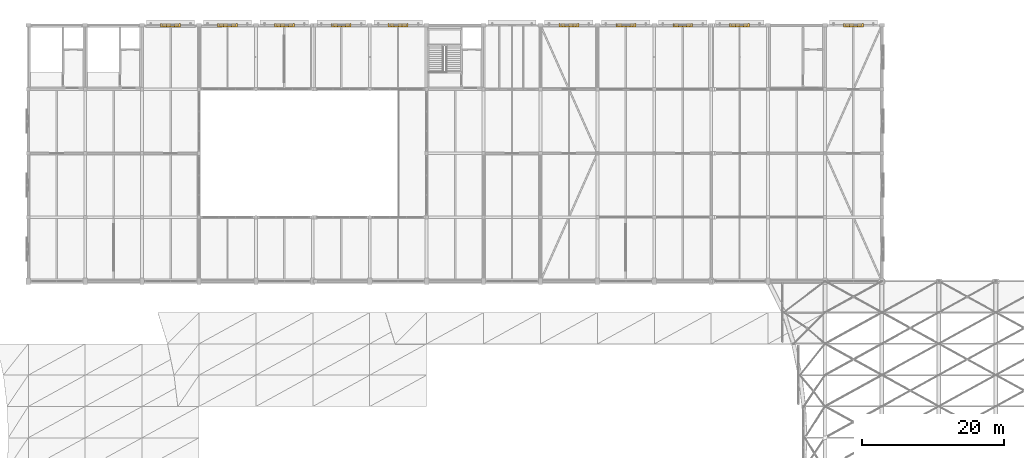
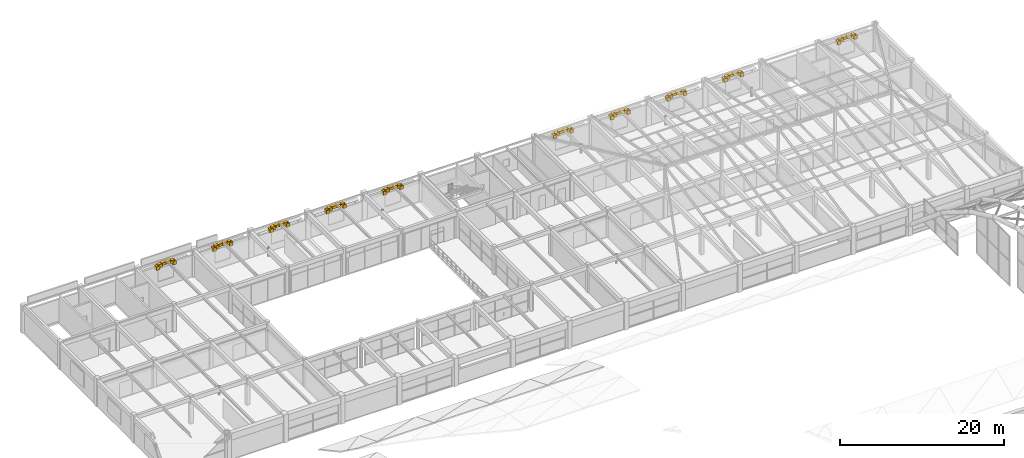
# One storey, part 126 of 126: 60 coverings.
"""IFC4 building model written with IfcOpenShell, lengths in metres."""

from ifc_helpers import new_model, si_unit, direction, frame, origin, origin_2d, place, context, subcontext, project, spatial, rectangle, extrude, material, layer, layer_set, type_object, element, save


model = new_model("IFC4")

# Units and contexts
model_context = context("Model", 3, precision=1e-05, world=origin(), true_north=direction((0.0, 1.0)))
body_context = subcontext(model_context, "Body", "Model", "MODEL_VIEW")
ifc_project = project(units=[si_unit("LENGTHUNIT", "METRE"), si_unit("AREAUNIT", "SQUARE_METRE"), si_unit("VOLUMEUNIT", "CUBIC_METRE"), si_unit("PLANEANGLEUNIT", "RADIAN"), si_unit("MASSUNIT", "GRAM", prefix="KILO")], contexts=[model_context])

# Site, building, storey
site_placement = place(None, origin())
site = spatial("IfcSite", under=ifc_project, at=site_placement, CompositionType="ELEMENT")
building_placement = place(site_placement, origin())
building = spatial("IfcBuilding", under=site, at=building_placement, Name="Varnabhumi Central Station", CompositionType="ELEMENT")
storey_placement = place(building_placement, frame((0.0, 0.0, 16.199951171875)))
storey = spatial("IfcBuildingStorey", under=building, at=storey_placement, Name="L03", CompositionType="ELEMENT", Elevation=16.199951171875)

# Coverings
ifc_material = material(Name="Terracotta clay Mission barrel tile", Category="masonry")
ifc_layer = layer(ifc_material, 0.02001953125, Name="Terracotta clay Mission barrel tile", Category="masonry")
ifc_layer_set = layer_set([ifc_layer], Name="Terracotta clay Mission barrel tile")
covering_type = type_object("IfcCoveringType", Name="COV-WALL-FAIENCE", PredefinedType="CLADDING", material=ifc_layer_set)
covering_1_placement = place(storey_placement, frame((42.83349609375, 116.0, 2.75), z_axis=(0.0, 0.0, 1.0), x_axis=(1.0, 0.0, 0.0)))
element("IfcCovering", 1, at=covering_1_placement, inside=storey, type_object=covering_type, Name="North Window Arch L03-3 Stone Voussoir 1", PredefinedType="CLADDING", context=body_context, shape_type="SweptSolid", body=[
    extrude(rectangle(XDim=0.469970703125, YDim=0.47998046875, at=origin_2d()), origin(), (0.0, 0.0, 1.0), 0.554931640625),
])
covering_2_placement = place(storey_placement, frame((43.14599609375, 116.0, 3.025146484375), z_axis=(0.0, 0.0, 1.0), x_axis=(1.0, 0.0, 0.0)))
element("IfcCovering", 2, at=covering_2_placement, inside=storey, type_object=covering_type, Name="North Window Arch L03-3 Stone Voussoir 2", PredefinedType="CLADDING", context=body_context, shape_type="SweptSolid", body=[
    extrude(rectangle(XDim=0.577880859375, YDim=0.47998046875, at=origin_2d()), origin(), (0.0, 0.0, 1.0), 0.48095703125),
])
for number, where, z_axis, x_axis, name in (
    (3, (43.6875, 116.0, 3.213134765625), (0.0, 0.0, 1.0), (1.0, 0.0, 0.0), "North Window Arch L03-3 Stone Voussoir 3"),
    (4, (44.3125, 116.0, 3.213134765625), (0.0, 0.0, 1.0), (1.0, 0.0, 0.0), "North Window Arch L03-3 Stone Voussoir 4"),
):
    element("IfcCovering", number, at=place(storey_placement, frame(where, z_axis=z_axis, x_axis=x_axis)), inside=storey, type_object=covering_type, Name=name, PredefinedType="CLADDING", context=body_context, shape_type="SweptSolid", body=[
        extrude(rectangle(XDim=0.7451171875, YDim=0.47998046875, at=origin_2d()), origin(), (0.0, 0.0, 1.0), 0.3798828125),
    ])
covering_3_placement = place(storey_placement, frame((44.85400390625, 116.0, 3.025146484375), z_axis=(0.0, 0.0, 1.0), x_axis=(1.0, 0.0, 0.0)))
element("IfcCovering", 5, at=covering_3_placement, inside=storey, type_object=covering_type, Name="North Window Arch L03-3 Stone Voussoir 5", PredefinedType="CLADDING", context=body_context, shape_type="SweptSolid", body=[
    extrude(rectangle(XDim=0.577880859375, YDim=0.47998046875, at=origin_2d()), origin(), (0.0, 0.0, 1.0), 0.48095703125),
])
for number, where, z_axis, x_axis, name in (
    (6, (45.16650390625, 116.0, 2.75), (0.0, 0.0, 1.0), (1.0, 0.0, 0.0), "North Window Arch L03-3 Stone Voussoir 6"),
    (7, (50.83349609375, 116.0, 2.75), (0.0, 0.0, 1.0), (1.0, 0.0, 0.0), "North Window Arch L03-4 Stone Voussoir 1"),
):
    element("IfcCovering", number, at=place(storey_placement, frame(where, z_axis=z_axis, x_axis=x_axis)), inside=storey, type_object=covering_type, Name=name, PredefinedType="CLADDING", context=body_context, shape_type="SweptSolid", body=[
        extrude(rectangle(XDim=0.469970703125, YDim=0.47998046875, at=origin_2d()), origin(), (0.0, 0.0, 1.0), 0.554931640625),
    ])
covering_4_placement = place(storey_placement, frame((51.14599609375, 116.0, 3.025146484375), z_axis=(0.0, 0.0, 1.0), x_axis=(1.0, 0.0, 0.0)))
element("IfcCovering", 8, at=covering_4_placement, inside=storey, type_object=covering_type, Name="North Window Arch L03-4 Stone Voussoir 2", PredefinedType="CLADDING", context=body_context, shape_type="SweptSolid", body=[
    extrude(rectangle(XDim=0.577880859375, YDim=0.47998046875, at=origin_2d()), origin(), (0.0, 0.0, 1.0), 0.48095703125),
])
for number, where, z_axis, x_axis, name in (
    (9, (51.6875, 116.0, 3.213134765625), (0.0, 0.0, 1.0), (1.0, 0.0, 0.0), "North Window Arch L03-4 Stone Voussoir 3"),
    (10, (52.3125, 116.0, 3.213134765625), (0.0, 0.0, 1.0), (1.0, 0.0, 0.0), "North Window Arch L03-4 Stone Voussoir 4"),
):
    element("IfcCovering", number, at=place(storey_placement, frame(where, z_axis=z_axis, x_axis=x_axis)), inside=storey, type_object=covering_type, Name=name, PredefinedType="CLADDING", context=body_context, shape_type="SweptSolid", body=[
        extrude(rectangle(XDim=0.7451171875, YDim=0.47998046875, at=origin_2d()), origin(), (0.0, 0.0, 1.0), 0.3798828125),
    ])
covering_5_placement = place(storey_placement, frame((52.85400390625, 116.0, 3.025146484375), z_axis=(0.0, 0.0, 1.0), x_axis=(1.0, 0.0, 0.0)))
element("IfcCovering", 11, at=covering_5_placement, inside=storey, type_object=covering_type, Name="North Window Arch L03-4 Stone Voussoir 5", PredefinedType="CLADDING", context=body_context, shape_type="SweptSolid", body=[
    extrude(rectangle(XDim=0.577880859375, YDim=0.47998046875, at=origin_2d()), origin(), (0.0, 0.0, 1.0), 0.48095703125),
])
for number, where, z_axis, x_axis, name in (
    (12, (53.16650390625, 116.0, 2.75), (0.0, 0.0, 1.0), (1.0, 0.0, 0.0), "North Window Arch L03-4 Stone Voussoir 6"),
    (13, (58.83349609375, 116.0, 2.75), (0.0, 0.0, 1.0), (1.0, 0.0, 0.0), "North Window Arch L03-5 Stone Voussoir 1"),
):
    element("IfcCovering", number, at=place(storey_placement, frame(where, z_axis=z_axis, x_axis=x_axis)), inside=storey, type_object=covering_type, Name=name, PredefinedType="CLADDING", context=body_context, shape_type="SweptSolid", body=[
        extrude(rectangle(XDim=0.469970703125, YDim=0.47998046875, at=origin_2d()), origin(), (0.0, 0.0, 1.0), 0.554931640625),
    ])
covering_6_placement = place(storey_placement, frame((59.14599609375, 116.0, 3.025146484375), z_axis=(0.0, 0.0, 1.0), x_axis=(1.0, 0.0, 0.0)))
element("IfcCovering", 14, at=covering_6_placement, inside=storey, type_object=covering_type, Name="North Window Arch L03-5 Stone Voussoir 2", PredefinedType="CLADDING", context=body_context, shape_type="SweptSolid", body=[
    extrude(rectangle(XDim=0.577880859375, YDim=0.47998046875, at=origin_2d()), origin(), (0.0, 0.0, 1.0), 0.48095703125),
])
for number, where, z_axis, x_axis, name in (
    (15, (59.6875, 116.0, 3.213134765625), (0.0, 0.0, 1.0), (1.0, 0.0, 0.0), "North Window Arch L03-5 Stone Voussoir 3"),
    (16, (60.3125, 116.0, 3.213134765625), (0.0, 0.0, 1.0), (1.0, 0.0, 0.0), "North Window Arch L03-5 Stone Voussoir 4"),
):
    element("IfcCovering", number, at=place(storey_placement, frame(where, z_axis=z_axis, x_axis=x_axis)), inside=storey, type_object=covering_type, Name=name, PredefinedType="CLADDING", context=body_context, shape_type="SweptSolid", body=[
        extrude(rectangle(XDim=0.7451171875, YDim=0.47998046875, at=origin_2d()), origin(), (0.0, 0.0, 1.0), 0.3798828125),
    ])
covering_7_placement = place(storey_placement, frame((60.85400390625, 116.0, 3.025146484375), z_axis=(0.0, 0.0, 1.0), x_axis=(1.0, 0.0, 0.0)))
element("IfcCovering", 17, at=covering_7_placement, inside=storey, type_object=covering_type, Name="North Window Arch L03-5 Stone Voussoir 5", PredefinedType="CLADDING", context=body_context, shape_type="SweptSolid", body=[
    extrude(rectangle(XDim=0.577880859375, YDim=0.47998046875, at=origin_2d()), origin(), (0.0, 0.0, 1.0), 0.48095703125),
])
for number, where, z_axis, x_axis, name in (
    (18, (61.16650390625, 116.0, 2.75), (0.0, 0.0, 1.0), (1.0, 0.0, 0.0), "North Window Arch L03-5 Stone Voussoir 6"),
    (19, (66.83349609375, 116.0, 2.75), (0.0, 0.0, 1.0), (1.0, 0.0, 0.0), "North Window Arch L03-6 Stone Voussoir 1"),
):
    element("IfcCovering", number, at=place(storey_placement, frame(where, z_axis=z_axis, x_axis=x_axis)), inside=storey, type_object=covering_type, Name=name, PredefinedType="CLADDING", context=body_context, shape_type="SweptSolid", body=[
        extrude(rectangle(XDim=0.469970703125, YDim=0.47998046875, at=origin_2d()), origin(), (0.0, 0.0, 1.0), 0.554931640625),
    ])
covering_8_placement = place(storey_placement, frame((67.14599609375, 116.0, 3.025146484375), z_axis=(0.0, 0.0, 1.0), x_axis=(1.0, 0.0, 0.0)))
element("IfcCovering", 20, at=covering_8_placement, inside=storey, type_object=covering_type, Name="North Window Arch L03-6 Stone Voussoir 2", PredefinedType="CLADDING", context=body_context, shape_type="SweptSolid", body=[
    extrude(rectangle(XDim=0.577880859375, YDim=0.47998046875, at=origin_2d()), origin(), (0.0, 0.0, 1.0), 0.48095703125),
])
for number, where, z_axis, x_axis, name in (
    (21, (67.6875, 116.0, 3.213134765625), (0.0, 0.0, 1.0), (1.0, 0.0, 0.0), "North Window Arch L03-6 Stone Voussoir 3"),
    (22, (68.3125, 116.0, 3.213134765625), (0.0, 0.0, 1.0), (1.0, 0.0, 0.0), "North Window Arch L03-6 Stone Voussoir 4"),
):
    element("IfcCovering", number, at=place(storey_placement, frame(where, z_axis=z_axis, x_axis=x_axis)), inside=storey, type_object=covering_type, Name=name, PredefinedType="CLADDING", context=body_context, shape_type="SweptSolid", body=[
        extrude(rectangle(XDim=0.7451171875, YDim=0.47998046875, at=origin_2d()), origin(), (0.0, 0.0, 1.0), 0.3798828125),
    ])
covering_9_placement = place(storey_placement, frame((68.85400390625, 116.0, 3.025146484375), z_axis=(0.0, 0.0, 1.0), x_axis=(1.0, 0.0, 0.0)))
element("IfcCovering", 23, at=covering_9_placement, inside=storey, type_object=covering_type, Name="North Window Arch L03-6 Stone Voussoir 5", PredefinedType="CLADDING", context=body_context, shape_type="SweptSolid", body=[
    extrude(rectangle(XDim=0.577880859375, YDim=0.47998046875, at=origin_2d()), origin(), (0.0, 0.0, 1.0), 0.48095703125),
])
for number, where, z_axis, x_axis, name in (
    (24, (69.16650390625, 116.0, 2.75), (0.0, 0.0, 1.0), (1.0, 0.0, 0.0), "North Window Arch L03-6 Stone Voussoir 6"),
    (25, (74.83349609375, 116.0, 2.75), (0.0, 0.0, 1.0), (1.0, 0.0, 0.0), "North Window Arch L03-7 Stone Voussoir 1"),
):
    element("IfcCovering", number, at=place(storey_placement, frame(where, z_axis=z_axis, x_axis=x_axis)), inside=storey, type_object=covering_type, Name=name, PredefinedType="CLADDING", context=body_context, shape_type="SweptSolid", body=[
        extrude(rectangle(XDim=0.469970703125, YDim=0.47998046875, at=origin_2d()), origin(), (0.0, 0.0, 1.0), 0.554931640625),
    ])
covering_10_placement = place(storey_placement, frame((75.14599609375, 116.0, 3.025146484375), z_axis=(0.0, 0.0, 1.0), x_axis=(1.0, 0.0, 0.0)))
element("IfcCovering", 26, at=covering_10_placement, inside=storey, type_object=covering_type, Name="North Window Arch L03-7 Stone Voussoir 2", PredefinedType="CLADDING", context=body_context, shape_type="SweptSolid", body=[
    extrude(rectangle(XDim=0.577880859375, YDim=0.47998046875, at=origin_2d()), origin(), (0.0, 0.0, 1.0), 0.48095703125),
])
for number, where, z_axis, x_axis, name in (
    (27, (75.6875, 116.0, 3.213134765625), (0.0, 0.0, 1.0), (1.0, 0.0, 0.0), "North Window Arch L03-7 Stone Voussoir 3"),
    (28, (76.3125, 116.0, 3.213134765625), (0.0, 0.0, 1.0), (1.0, 0.0, 0.0), "North Window Arch L03-7 Stone Voussoir 4"),
):
    element("IfcCovering", number, at=place(storey_placement, frame(where, z_axis=z_axis, x_axis=x_axis)), inside=storey, type_object=covering_type, Name=name, PredefinedType="CLADDING", context=body_context, shape_type="SweptSolid", body=[
        extrude(rectangle(XDim=0.7451171875, YDim=0.47998046875, at=origin_2d()), origin(), (0.0, 0.0, 1.0), 0.3798828125),
    ])
covering_11_placement = place(storey_placement, frame((76.85400390625, 116.0, 3.025146484375), z_axis=(0.0, 0.0, 1.0), x_axis=(1.0, 0.0, 0.0)))
element("IfcCovering", 29, at=covering_11_placement, inside=storey, type_object=covering_type, Name="North Window Arch L03-7 Stone Voussoir 5", PredefinedType="CLADDING", context=body_context, shape_type="SweptSolid", body=[
    extrude(rectangle(XDim=0.577880859375, YDim=0.47998046875, at=origin_2d()), origin(), (0.0, 0.0, 1.0), 0.48095703125),
])
for number, where, z_axis, x_axis, name in (
    (30, (77.16650390625, 116.0, 2.75), (0.0, 0.0, 1.0), (1.0, 0.0, 0.0), "North Window Arch L03-7 Stone Voussoir 6"),
    (31, (98.83349609375, 116.0, 2.75), (0.0, 0.0, 1.0), (1.0, 0.0, 0.0), "North Window Arch L03-10 Stone Voussoir 1"),
):
    element("IfcCovering", number, at=place(storey_placement, frame(where, z_axis=z_axis, x_axis=x_axis)), inside=storey, type_object=covering_type, Name=name, PredefinedType="CLADDING", context=body_context, shape_type="SweptSolid", body=[
        extrude(rectangle(XDim=0.469970703125, YDim=0.47998046875, at=origin_2d()), origin(), (0.0, 0.0, 1.0), 0.554931640625),
    ])
covering_12_placement = place(storey_placement, frame((99.14599609375, 116.0, 3.025146484375), z_axis=(0.0, 0.0, 1.0), x_axis=(1.0, 0.0, 0.0)))
element("IfcCovering", 32, at=covering_12_placement, inside=storey, type_object=covering_type, Name="North Window Arch L03-10 Stone Voussoir 2", PredefinedType="CLADDING", context=body_context, shape_type="SweptSolid", body=[
    extrude(rectangle(XDim=0.577880859375, YDim=0.47998046875, at=origin_2d()), origin(), (0.0, 0.0, 1.0), 0.48095703125),
])
for number, where, z_axis, x_axis, name in (
    (33, (99.6875, 116.0, 3.213134765625), (0.0, 0.0, 1.0), (1.0, 0.0, 0.0), "North Window Arch L03-10 Stone Voussoir 3"),
    (34, (100.3125, 116.0, 3.213134765625), (0.0, 0.0, 1.0), (1.0, 0.0, 0.0), "North Window Arch L03-10 Stone Voussoir 4"),
):
    element("IfcCovering", number, at=place(storey_placement, frame(where, z_axis=z_axis, x_axis=x_axis)), inside=storey, type_object=covering_type, Name=name, PredefinedType="CLADDING", context=body_context, shape_type="SweptSolid", body=[
        extrude(rectangle(XDim=0.7451171875, YDim=0.47998046875, at=origin_2d()), origin(), (0.0, 0.0, 1.0), 0.3798828125),
    ])
covering_13_placement = place(storey_placement, frame((100.85400390625, 116.0, 3.025146484375), z_axis=(0.0, 0.0, 1.0), x_axis=(1.0, 0.0, 0.0)))
element("IfcCovering", 35, at=covering_13_placement, inside=storey, type_object=covering_type, Name="North Window Arch L03-10 Stone Voussoir 5", PredefinedType="CLADDING", context=body_context, shape_type="SweptSolid", body=[
    extrude(rectangle(XDim=0.577880859375, YDim=0.47998046875, at=origin_2d()), origin(), (0.0, 0.0, 1.0), 0.48095703125),
])
for number, where, z_axis, x_axis, name in (
    (36, (101.16650390625, 116.0, 2.75), (0.0, 0.0, 1.0), (1.0, 0.0, 0.0), "North Window Arch L03-10 Stone Voussoir 6"),
    (37, (106.83349609375, 116.0, 2.75), (0.0, 0.0, 1.0), (1.0, 0.0, 0.0), "North Window Arch L03-11 Stone Voussoir 1"),
):
    element("IfcCovering", number, at=place(storey_placement, frame(where, z_axis=z_axis, x_axis=x_axis)), inside=storey, type_object=covering_type, Name=name, PredefinedType="CLADDING", context=body_context, shape_type="SweptSolid", body=[
        extrude(rectangle(XDim=0.469970703125, YDim=0.47998046875, at=origin_2d()), origin(), (0.0, 0.0, 1.0), 0.554931640625),
    ])
covering_14_placement = place(storey_placement, frame((107.14599609375, 116.0, 3.025146484375), z_axis=(0.0, 0.0, 1.0), x_axis=(1.0, 0.0, 0.0)))
element("IfcCovering", 38, at=covering_14_placement, inside=storey, type_object=covering_type, Name="North Window Arch L03-11 Stone Voussoir 2", PredefinedType="CLADDING", context=body_context, shape_type="SweptSolid", body=[
    extrude(rectangle(XDim=0.577880859375, YDim=0.47998046875, at=origin_2d()), origin(), (0.0, 0.0, 1.0), 0.48095703125),
])
for number, where, z_axis, x_axis, name in (
    (39, (107.6875, 116.0, 3.213134765625), (0.0, 0.0, 1.0), (1.0, 0.0, 0.0), "North Window Arch L03-11 Stone Voussoir 3"),
    (40, (108.3125, 116.0, 3.213134765625), (0.0, 0.0, 1.0), (1.0, 0.0, 0.0), "North Window Arch L03-11 Stone Voussoir 4"),
):
    element("IfcCovering", number, at=place(storey_placement, frame(where, z_axis=z_axis, x_axis=x_axis)), inside=storey, type_object=covering_type, Name=name, PredefinedType="CLADDING", context=body_context, shape_type="SweptSolid", body=[
        extrude(rectangle(XDim=0.7451171875, YDim=0.47998046875, at=origin_2d()), origin(), (0.0, 0.0, 1.0), 0.3798828125),
    ])
covering_15_placement = place(storey_placement, frame((108.85400390625, 116.0, 3.025146484375), z_axis=(0.0, 0.0, 1.0), x_axis=(1.0, 0.0, 0.0)))
element("IfcCovering", 41, at=covering_15_placement, inside=storey, type_object=covering_type, Name="North Window Arch L03-11 Stone Voussoir 5", PredefinedType="CLADDING", context=body_context, shape_type="SweptSolid", body=[
    extrude(rectangle(XDim=0.577880859375, YDim=0.47998046875, at=origin_2d()), origin(), (0.0, 0.0, 1.0), 0.48095703125),
])
for number, where, z_axis, x_axis, name in (
    (42, (109.16650390625, 116.0, 2.75), (0.0, 0.0, 1.0), (1.0, 0.0, 0.0), "North Window Arch L03-11 Stone Voussoir 6"),
    (43, (114.83349609375, 116.0, 2.75), (0.0, 0.0, 1.0), (1.0, 0.0, 0.0), "North Window Arch L03-12 Stone Voussoir 1"),
):
    element("IfcCovering", number, at=place(storey_placement, frame(where, z_axis=z_axis, x_axis=x_axis)), inside=storey, type_object=covering_type, Name=name, PredefinedType="CLADDING", context=body_context, shape_type="SweptSolid", body=[
        extrude(rectangle(XDim=0.469970703125, YDim=0.47998046875, at=origin_2d()), origin(), (0.0, 0.0, 1.0), 0.554931640625),
    ])
covering_16_placement = place(storey_placement, frame((115.14599609375, 116.0, 3.025146484375), z_axis=(0.0, 0.0, 1.0), x_axis=(1.0, 0.0, 0.0)))
element("IfcCovering", 44, at=covering_16_placement, inside=storey, type_object=covering_type, Name="North Window Arch L03-12 Stone Voussoir 2", PredefinedType="CLADDING", context=body_context, shape_type="SweptSolid", body=[
    extrude(rectangle(XDim=0.577880859375, YDim=0.47998046875, at=origin_2d()), origin(), (0.0, 0.0, 1.0), 0.48095703125),
])
for number, where, z_axis, x_axis, name in (
    (45, (115.6875, 116.0, 3.213134765625), (0.0, 0.0, 1.0), (1.0, 0.0, 0.0), "North Window Arch L03-12 Stone Voussoir 3"),
    (46, (116.3125, 116.0, 3.213134765625), (0.0, 0.0, 1.0), (1.0, 0.0, 0.0), "North Window Arch L03-12 Stone Voussoir 4"),
):
    element("IfcCovering", number, at=place(storey_placement, frame(where, z_axis=z_axis, x_axis=x_axis)), inside=storey, type_object=covering_type, Name=name, PredefinedType="CLADDING", context=body_context, shape_type="SweptSolid", body=[
        extrude(rectangle(XDim=0.7451171875, YDim=0.47998046875, at=origin_2d()), origin(), (0.0, 0.0, 1.0), 0.3798828125),
    ])
covering_17_placement = place(storey_placement, frame((116.85400390625, 116.0, 3.025146484375), z_axis=(0.0, 0.0, 1.0), x_axis=(1.0, 0.0, 0.0)))
element("IfcCovering", 47, at=covering_17_placement, inside=storey, type_object=covering_type, Name="North Window Arch L03-12 Stone Voussoir 5", PredefinedType="CLADDING", context=body_context, shape_type="SweptSolid", body=[
    extrude(rectangle(XDim=0.577880859375, YDim=0.47998046875, at=origin_2d()), origin(), (0.0, 0.0, 1.0), 0.48095703125),
])
for number, where, z_axis, x_axis, name in (
    (48, (117.16650390625, 116.0, 2.75), (0.0, 0.0, 1.0), (1.0, 0.0, 0.0), "North Window Arch L03-12 Stone Voussoir 6"),
    (49, (122.83349609375, 116.0, 2.75), (0.0, 0.0, 1.0), (1.0, 0.0, 0.0), "North Window Arch L03-13 Stone Voussoir 1"),
):
    element("IfcCovering", number, at=place(storey_placement, frame(where, z_axis=z_axis, x_axis=x_axis)), inside=storey, type_object=covering_type, Name=name, PredefinedType="CLADDING", context=body_context, shape_type="SweptSolid", body=[
        extrude(rectangle(XDim=0.469970703125, YDim=0.47998046875, at=origin_2d()), origin(), (0.0, 0.0, 1.0), 0.554931640625),
    ])
covering_18_placement = place(storey_placement, frame((123.14599609375, 116.0, 3.025146484375), z_axis=(0.0, 0.0, 1.0), x_axis=(1.0, 0.0, 0.0)))
element("IfcCovering", 50, at=covering_18_placement, inside=storey, type_object=covering_type, Name="North Window Arch L03-13 Stone Voussoir 2", PredefinedType="CLADDING", context=body_context, shape_type="SweptSolid", body=[
    extrude(rectangle(XDim=0.577880859375, YDim=0.47998046875, at=origin_2d()), origin(), (0.0, 0.0, 1.0), 0.48095703125),
])
for number, where, z_axis, x_axis, name in (
    (51, (123.6875, 116.0, 3.213134765625), (0.0, 0.0, 1.0), (1.0, 0.0, 0.0), "North Window Arch L03-13 Stone Voussoir 3"),
    (52, (124.3125, 116.0, 3.213134765625), (0.0, 0.0, 1.0), (1.0, 0.0, 0.0), "North Window Arch L03-13 Stone Voussoir 4"),
):
    element("IfcCovering", number, at=place(storey_placement, frame(where, z_axis=z_axis, x_axis=x_axis)), inside=storey, type_object=covering_type, Name=name, PredefinedType="CLADDING", context=body_context, shape_type="SweptSolid", body=[
        extrude(rectangle(XDim=0.7451171875, YDim=0.47998046875, at=origin_2d()), origin(), (0.0, 0.0, 1.0), 0.3798828125),
    ])
covering_19_placement = place(storey_placement, frame((124.85400390625, 116.0, 3.025146484375), z_axis=(0.0, 0.0, 1.0), x_axis=(1.0, 0.0, 0.0)))
element("IfcCovering", 53, at=covering_19_placement, inside=storey, type_object=covering_type, Name="North Window Arch L03-13 Stone Voussoir 5", PredefinedType="CLADDING", context=body_context, shape_type="SweptSolid", body=[
    extrude(rectangle(XDim=0.577880859375, YDim=0.47998046875, at=origin_2d()), origin(), (0.0, 0.0, 1.0), 0.48095703125),
])
for number, where, z_axis, x_axis, name in (
    (54, (125.16650390625, 116.0, 2.75), (0.0, 0.0, 1.0), (1.0, 0.0, 0.0), "North Window Arch L03-13 Stone Voussoir 6"),
    (55, (138.83349609375, 116.0, 2.75), (0.0, 0.0, 1.0), (1.0, 0.0, 0.0), "North Window Arch L03-15 Stone Voussoir 1"),
):
    element("IfcCovering", number, at=place(storey_placement, frame(where, z_axis=z_axis, x_axis=x_axis)), inside=storey, type_object=covering_type, Name=name, PredefinedType="CLADDING", context=body_context, shape_type="SweptSolid", body=[
        extrude(rectangle(XDim=0.469970703125, YDim=0.47998046875, at=origin_2d()), origin(), (0.0, 0.0, 1.0), 0.554931640625),
    ])
covering_20_placement = place(storey_placement, frame((139.14599609375, 116.0, 3.025146484375), z_axis=(0.0, 0.0, 1.0), x_axis=(1.0, 0.0, 0.0)))
element("IfcCovering", 56, at=covering_20_placement, inside=storey, type_object=covering_type, Name="North Window Arch L03-15 Stone Voussoir 2", PredefinedType="CLADDING", context=body_context, shape_type="SweptSolid", body=[
    extrude(rectangle(XDim=0.577880859375, YDim=0.47998046875, at=origin_2d()), origin(), (0.0, 0.0, 1.0), 0.48095703125),
])
for number, where, z_axis, x_axis, name in (
    (57, (139.6875, 116.0, 3.213134765625), (0.0, 0.0, 1.0), (1.0, 0.0, 0.0), "North Window Arch L03-15 Stone Voussoir 3"),
    (58, (140.3125, 116.0, 3.213134765625), (0.0, 0.0, 1.0), (1.0, 0.0, 0.0), "North Window Arch L03-15 Stone Voussoir 4"),
):
    element("IfcCovering", number, at=place(storey_placement, frame(where, z_axis=z_axis, x_axis=x_axis)), inside=storey, type_object=covering_type, Name=name, PredefinedType="CLADDING", context=body_context, shape_type="SweptSolid", body=[
        extrude(rectangle(XDim=0.7451171875, YDim=0.47998046875, at=origin_2d()), origin(), (0.0, 0.0, 1.0), 0.3798828125),
    ])
covering_21_placement = place(storey_placement, frame((140.85400390625, 116.0, 3.025146484375), z_axis=(0.0, 0.0, 1.0), x_axis=(1.0, 0.0, 0.0)))
element("IfcCovering", 59, at=covering_21_placement, inside=storey, type_object=covering_type, Name="North Window Arch L03-15 Stone Voussoir 5", PredefinedType="CLADDING", context=body_context, shape_type="SweptSolid", body=[
    extrude(rectangle(XDim=0.577880859375, YDim=0.47998046875, at=origin_2d()), origin(), (0.0, 0.0, 1.0), 0.48095703125),
])
covering_22_placement = place(storey_placement, frame((141.16650390625, 116.0, 2.75), z_axis=(0.0, 0.0, 1.0), x_axis=(1.0, 0.0, 0.0)))
element("IfcCovering", 60, at=covering_22_placement, inside=storey, type_object=covering_type, Name="North Window Arch L03-15 Stone Voussoir 6", PredefinedType="CLADDING", context=body_context, shape_type="SweptSolid", body=[
    extrude(rectangle(XDim=0.469970703125, YDim=0.47998046875, at=origin_2d()), origin(), (0.0, 0.0, 1.0), 0.554931640625),
])

save(model, "model.ifc")
